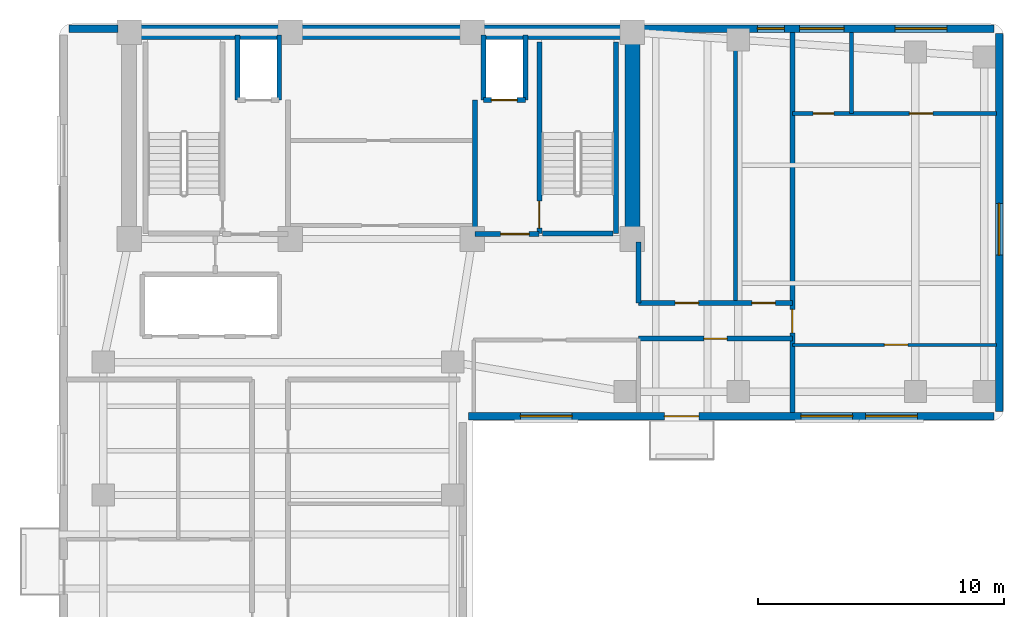
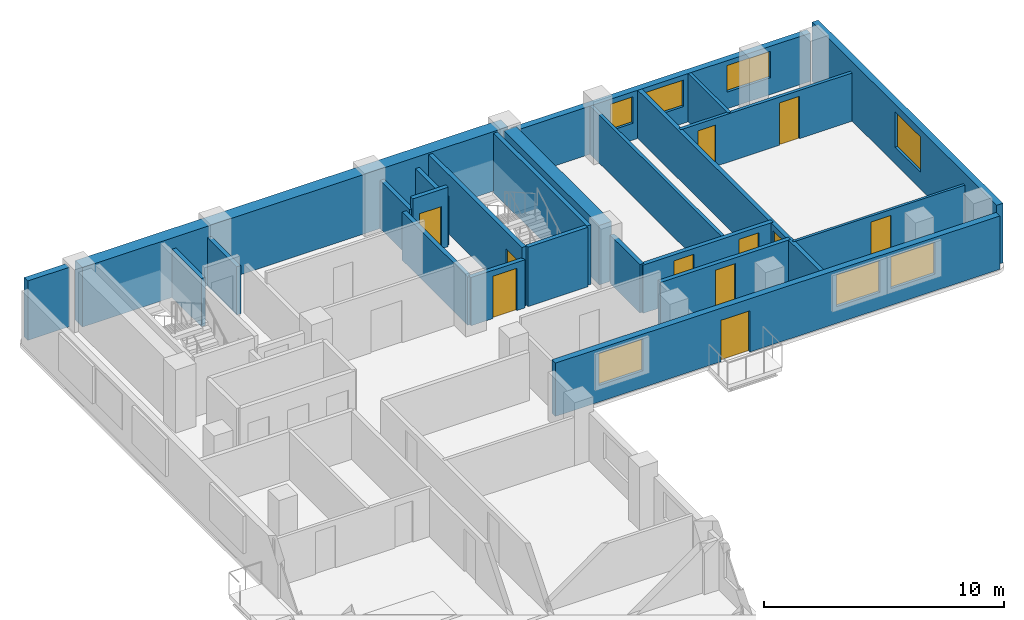
# One storey, part 4 of 7: 24 walls, 11 doors, 7 windows, 18 openings.
"""IFC4 building model written with IfcOpenShell, lengths in metres."""

from ifc_helpers import new_model, si_unit, direction, frame, frame_2d, origin, place, context, subcontext, project, spatial, rectangle, extrude, material, layer, layer_set, type_object, element, fill, save


model = new_model("IFC4")

# Units and contexts
model_context = context("Model", 3, precision=1e-05, world=origin(), true_north=direction((0.0, 1.0)))
body_context = subcontext(model_context, "Body", "Model", "MODEL_VIEW")
ifc_project = project(units=[si_unit("LENGTHUNIT", "METRE"), si_unit("AREAUNIT", "SQUARE_METRE"), si_unit("VOLUMEUNIT", "CUBIC_METRE"), si_unit("PLANEANGLEUNIT", "RADIAN"), si_unit("MASSUNIT", "GRAM", prefix="KILO")], contexts=[model_context])

# Site, building, storey
site_placement = place(None, origin())
site = spatial("IfcSite", under=ifc_project, at=site_placement, CompositionType="ELEMENT")
building_placement = place(site_placement, origin())
building = spatial("IfcBuilding", under=site, at=building_placement, Name="Kuzgunbayir Cultural Tower", CompositionType="ELEMENT")
storey_placement = place(building_placement, frame((0.0, 0.0, 185.60009765625)))
storey = spatial("IfcBuildingStorey", under=building, at=storey_placement, Name="L54", CompositionType="ELEMENT", Elevation=185.60009765625)

# Walls
ifc_material_1 = material(Name="Concrete C60/75", Category="concrete")
ifc_layer_1 = layer(ifc_material_1, 0.60009765625)
ifc_layer_set_1 = layer_set([ifc_layer_1], Name="Concrete C60/75")
wall_type_1 = type_object("IfcWallType", Name="WAL-CORE-600", PredefinedType="SHEAR", material=ifc_layer_set_1)
wall_1_placement = place(storey_placement, frame((6.449951171875, 42.199951171875, 0.0), z_axis=(0.0, 0.0, 1.0), x_axis=(1.0, 0.0, 0.0)))
element("IfcWall", 1, at=wall_1_placement, inside=storey, type_object=wall_type_1, Name="L54 T1 Core North Shear Wall", PredefinedType="SHEAR", context=body_context, shape_type="SweptSolid", body=[
    extrude(rectangle(XDim=20.449951171875, YDim=0.60009765625, at=frame_2d((10.22509765625, 0.0))), origin(), (0.0, 0.0, 1.0), 3.02001953125),
])
wall_2_placement = place(storey_placement, frame((26.89990234375, 33.800048828125, 0.0), z_axis=(0.0, 0.0, 1.0), x_axis=(0.0, 1.0, 0.0)))
element("IfcWall", 2, at=wall_2_placement, inside=storey, type_object=wall_type_1, Name="L54 T1 Core East Shear Wall", PredefinedType="SHEAR", context=body_context, shape_type="SweptSolid", body=[
    extrude(rectangle(XDim=7.949951171875, YDim=0.60009765625, at=frame_2d((3.97509765625, 0.0))), origin(), (0.0, 0.0, 1.0), 3.02001953125),
])

# Wall, openings, windows
ifc_material_2 = material(Name="Anatolian Cream Limestone", Category="masonry")
ifc_layer_2 = layer(ifc_material_2, 0.300048828125)
ifc_layer_set_2 = layer_set([ifc_layer_2], Name="Anatolian Cream Limestone")
wall_type_2 = type_object("IfcWallType", Name="WAL-EXT-STONE-300", PredefinedType="STANDARD", material=ifc_layer_set_2)
wall_3_placement = place(storey_placement, frame((41.60009765625, 42.35009765625, 0.0), z_axis=(0.0, 0.0, 1.0), x_axis=(-1.0, 0.0, 0.0)))
wall_3 = element("IfcWall", 3, at=wall_3_placement, inside=storey, type_object=wall_type_2, Name="L54 North Wing B Limestone Wall", PredefinedType="STANDARD", context=body_context, shape_type="SweptSolid", body=[
    extrude(rectangle(XDim=14.25, YDim=0.300048828125, at=frame_2d((7.125, 0.0))), origin(), (0.0, 0.0, 1.0), 2.449951171875),
])
opening_1_placement = place(wall_3_placement, frame((6.10009765625, 0.0, 0.85009765625)))
opening_1 = element("IfcOpeningElement", 4, at=opening_1_placement, cuts=wall_3, Name="Opening WH-18", PredefinedType="OPENING", context=body_context, shape_type="SweptSolid", body=[
    extrude(rectangle(XDim=1.800048828125, YDim=1.35009765625, at=frame_2d((0.89990234375, 0.675048828125))), frame((0.0, 0.16015625, 0.0), z_axis=(0.0, -1.0, 0.0), x_axis=(1.0, 0.0, 0.0)), (0.0, 0.0, 1.0), 0.320068359375),
])
opening_2_placement = place(wall_3_placement, frame((1.919921875, 0.0, 0.85009765625)))
opening_2 = element("IfcOpeningElement", 5, at=opening_2_placement, cuts=wall_3, Name="Opening WR-21", PredefinedType="OPENING", context=body_context, shape_type="SweptSolid", body=[
    extrude(rectangle(XDim=2.10009765625, YDim=1.35009765625, at=frame_2d((1.050048828125, 0.675048828125))), frame((0.0, 0.16015625, 0.0), z_axis=(0.0, -1.0, 0.0), x_axis=(1.0, 0.0, 0.0)), (0.0, 0.0, 1.0), 0.320068359375),
])
opening_3_placement = place(wall_3_placement, frame((8.52001953125, 0.0, 0.85009765625)))
opening_3 = element("IfcOpeningElement", 6, at=opening_3_placement, cuts=wall_3, Name="Opening WN-11", PredefinedType="OPENING", context=body_context, shape_type="SweptSolid", body=[
    extrude(rectangle(XDim=1.10009765625, YDim=1.35009765625, at=frame_2d((0.550048828125, 0.675048828125))), frame((0.0, 0.16015625, 0.0), z_axis=(0.0, -1.0, 0.0), x_axis=(1.0, 0.0, 0.0)), (0.0, 0.0, 1.0), 0.320068359375),
])
ifc_material_3 = material(Name="Solar-Control Triple Glazing", Category="glass")
window_type_1 = type_object("IfcWindowType", Name="WIN-HOTEL-18", PartitioningType="SINGLE_PANEL", PredefinedType="WINDOW", material=ifc_material_3)
window_1_placement = place(opening_1_placement, origin())
window_1 = element("IfcWindow", 7, at=window_1_placement, inside=storey, type_object=window_type_1, Name="L54 CRN Facade Window 8", OverallHeight=1.35009765625, OverallWidth=1.800048828125, PartitioningType="SINGLE_PANEL", PredefinedType="WINDOW", context=body_context, shape_type="SweptSolid", body=[
    extrude(rectangle(XDim=1.800048828125, YDim=1.35009765625, at=frame_2d((0.89990234375, 0.675048828125))), frame((0.0, 0.030029296875, 0.0), z_axis=(0.0, -1.0, 0.0), x_axis=(1.0, 0.0, 0.0)), (0.0, 0.0, 1.0), 0.06005859375),
])
fill(opening_1, window_1)
window_type_2 = type_object("IfcWindowType", Name="WIN-NARROW-11", PartitioningType="SINGLE_PANEL", PredefinedType="WINDOW", material=ifc_material_3)
window_2_placement = place(opening_3_placement, origin())
window_2 = element("IfcWindow", 8, at=window_2_placement, inside=storey, type_object=window_type_2, Name="L54 CRN Facade Window 10", OverallHeight=1.35009765625, OverallWidth=1.10009765625, PartitioningType="SINGLE_PANEL", PredefinedType="WINDOW", context=body_context, shape_type="SweptSolid", body=[
    extrude(rectangle(XDim=1.10009765625, YDim=1.35009765625, at=frame_2d((0.550048828125, 0.675048828125))), frame((0.0, 0.030029296875, 0.0), z_axis=(0.0, -1.0, 0.0), x_axis=(1.0, 0.0, 0.0)), (0.0, 0.0, 1.0), 0.06005859375),
])
fill(opening_3, window_2)
window_type_3 = type_object("IfcWindowType", Name="WIN-RESID-21", PartitioningType="SINGLE_PANEL", PredefinedType="WINDOW", material=ifc_material_3)
window_3_placement = place(opening_2_placement, origin())
window_3 = element("IfcWindow", 9, at=window_3_placement, inside=storey, type_object=window_type_3, Name="L54 CRN Facade Window 9", OverallHeight=1.35009765625, OverallWidth=2.10009765625, PartitioningType="SINGLE_PANEL", PredefinedType="WINDOW", context=body_context, shape_type="SweptSolid", body=[
    extrude(rectangle(XDim=2.10009765625, YDim=1.35009765625, at=frame_2d((1.050048828125, 0.675048828125))), frame((0.0, 0.030029296875, 0.0), z_axis=(0.0, -1.0, 0.0), x_axis=(1.0, 0.0, 0.0)), (0.0, 0.0, 1.0), 0.06005859375),
])
fill(opening_2, window_3)

# Wall
wall_4_placement = place(storey_placement, frame((6.0, 42.35009765625, 0.0), z_axis=(0.0, 0.0, 1.0), x_axis=(-1.0, 0.0, 0.0)))
element("IfcWall", 10, at=wall_4_placement, inside=storey, type_object=wall_type_2, Name="L54 Core North-West Spandrel Link", PredefinedType="STANDARD", context=body_context, shape_type="SweptSolid", body=[
    extrude(rectangle(XDim=2.0, YDim=0.300048828125, at=frame_2d((1.0, 0.0))), origin(), (0.0, 0.0, 1.0), 3.02001953125),
])

# Wall, openings, door, windows
wall_5_placement = place(storey_placement, frame((20.25, 26.60009765625, 0.0), z_axis=(0.0, 0.0, 1.0), x_axis=(1.0, 0.0, 0.0)))
wall_5 = element("IfcWall", 11, at=wall_5_placement, inside=storey, type_object=wall_type_2, Name="L54 Wing B South Limestone Wall", PredefinedType="STANDARD", context=body_context, shape_type="SweptSolid", body=[
    extrude(rectangle(XDim=21.35009765625, YDim=0.300048828125, at=frame_2d((10.675048828125, 0.0))), origin(), (0.0, 0.0, 1.0), 2.7099609375),
])
opening_4_placement = place(wall_5_placement, frame((7.949951171875, 0.0, 0.0)))
opening_4 = element("IfcOpeningElement", 12, at=opening_4_placement, cuts=wall_5, Name="Opening BD-15", PredefinedType="OPENING", context=body_context, shape_type="SweptSolid", body=[
    extrude(rectangle(XDim=1.39990234375, YDim=2.10009765625, at=frame_2d((0.699951171875, 1.050048828125))), frame((0.0, 0.16015625, 0.0), z_axis=(0.0, -1.0, 0.0), x_axis=(1.0, 0.0, 0.0)), (0.0, 0.0, 1.0), 0.320068359375),
])
opening_5_placement = place(wall_5_placement, frame((16.1298828125, 0.0, 0.85009765625)))
opening_5 = element("IfcOpeningElement", 13, at=opening_5_placement, cuts=wall_5, Name="Opening WR-21", PredefinedType="OPENING", context=body_context, shape_type="SweptSolid", body=[
    extrude(rectangle(XDim=2.10009765625, YDim=1.610107421875, at=frame_2d((1.050048828125, 0.80517578125))), frame((0.0, 0.16015625, 0.0), z_axis=(0.0, -1.0, 0.0), x_axis=(1.0, 0.0, 0.0)), (0.0, 0.0, 1.0), 0.320068359375),
])
opening_6_placement = place(wall_5_placement, frame((2.10009765625, 0.0, 0.85009765625)))
opening_6 = element("IfcOpeningElement", 14, at=opening_6_placement, cuts=wall_5, Name="Opening WR-21", PredefinedType="OPENING", context=body_context, shape_type="SweptSolid", body=[
    extrude(rectangle(XDim=2.10009765625, YDim=1.610107421875, at=frame_2d((1.050048828125, 0.80517578125))), frame((0.0, 0.16015625, 0.0), z_axis=(0.0, -1.0, 0.0), x_axis=(1.0, 0.0, 0.0)), (0.0, 0.0, 1.0), 0.320068359375),
])
opening_7_placement = place(wall_5_placement, frame((13.5, 0.0, 0.85009765625)))
opening_7 = element("IfcOpeningElement", 15, at=opening_7_placement, cuts=wall_5, Name="Opening WR-21", PredefinedType="OPENING", context=body_context, shape_type="SweptSolid", body=[
    extrude(rectangle(XDim=2.10009765625, YDim=1.610107421875, at=frame_2d((1.050048828125, 0.80517578125))), frame((0.0, 0.16015625, 0.0), z_axis=(0.0, -1.0, 0.0), x_axis=(1.0, 0.0, 0.0)), (0.0, 0.0, 1.0), 0.320068359375),
])
ifc_material_4 = material(Name="Thermally Broken Glazed Aluminium", Category="aluminium")
door_type_1 = type_object("IfcDoorType", Name="DR-BALCONY-150", OperationType="SLIDING_TO_RIGHT", PredefinedType="DOOR", material=ifc_material_4)
door_1_placement = place(opening_4_placement, origin())
door_1 = element("IfcDoor", 16, at=door_1_placement, inside=storey, type_object=door_type_1, Name="L54 South Balcony Sliding Door BAL-L54-WB1", OperationType="SLIDING_TO_RIGHT", OverallHeight=2.10009765625, OverallWidth=1.39990234375, PredefinedType="DOOR", context=body_context, shape_type="SweptSolid", body=[
    extrude(rectangle(XDim=1.39990234375, YDim=2.10009765625, at=frame_2d((0.699951171875, 1.050048828125))), frame((0.0, 0.02490234375, 0.0), z_axis=(0.0, -1.0, 0.0), x_axis=(1.0, 0.0, 0.0)), (0.0, 0.0, 1.0), 0.050048828125),
])
fill(opening_4, door_1)
window_4_placement = place(opening_5_placement, origin())
window_4 = element("IfcWindow", 17, at=window_4_placement, inside=storey, type_object=window_type_3, Name="L54 WBS Facade Window 7", OverallHeight=1.610107421875, OverallWidth=2.10009765625, PartitioningType="SINGLE_PANEL", PredefinedType="WINDOW", context=body_context, shape_type="SweptSolid", body=[
    extrude(rectangle(XDim=2.10009765625, YDim=1.610107421875, at=frame_2d((1.050048828125, 0.80517578125))), frame((0.0, 0.030029296875, 0.0), z_axis=(0.0, -1.0, 0.0), x_axis=(1.0, 0.0, 0.0)), (0.0, 0.0, 1.0), 0.06005859375),
])
fill(opening_5, window_4)
window_5_placement = place(opening_6_placement, origin())
window_5 = element("IfcWindow", 18, at=window_5_placement, inside=storey, type_object=window_type_3, Name="L54 WBS Facade Window 17", OverallHeight=1.610107421875, OverallWidth=2.10009765625, PartitioningType="SINGLE_PANEL", PredefinedType="WINDOW", context=body_context, shape_type="SweptSolid", body=[
    extrude(rectangle(XDim=2.10009765625, YDim=1.610107421875, at=frame_2d((1.050048828125, 0.80517578125))), frame((0.0, 0.030029296875, 0.0), z_axis=(0.0, -1.0, 0.0), x_axis=(1.0, 0.0, 0.0)), (0.0, 0.0, 1.0), 0.06005859375),
])
fill(opening_6, window_5)
window_6_placement = place(opening_7_placement, origin())
window_6 = element("IfcWindow", 19, at=window_6_placement, inside=storey, type_object=window_type_3, Name="L54 WBS Facade Window 18", OverallHeight=1.610107421875, OverallWidth=2.10009765625, PartitioningType="SINGLE_PANEL", PredefinedType="WINDOW", context=body_context, shape_type="SweptSolid", body=[
    extrude(rectangle(XDim=2.10009765625, YDim=1.610107421875, at=frame_2d((1.050048828125, 0.80517578125))), frame((0.0, 0.030029296875, 0.0), z_axis=(0.0, -1.0, 0.0), x_axis=(1.0, 0.0, 0.0)), (0.0, 0.0, 1.0), 0.06005859375),
])
fill(opening_7, window_6)

# Wall, opening, window
wall_6_placement = place(storey_placement, frame((41.800048828125, 26.800048828125, 0.0), z_axis=(0.0, 0.0, 1.0), x_axis=(0.0, 1.0, 0.0)))
wall_6 = element("IfcWall", 20, at=wall_6_placement, inside=storey, type_object=wall_type_2, Name="L54 Wing B East Limestone Wall", PredefinedType="STANDARD", context=body_context, shape_type="SweptSolid", body=[
    extrude(rectangle(XDim=15.349853515625, YDim=0.300048828125, at=frame_2d((7.6748046875, 0.0))), origin(), (0.0, 0.0, 1.0), 3.02001953125),
])
opening_8_placement = place(wall_6_placement, frame((6.35009765625, 0.0, 0.85009765625)))
opening_8 = element("IfcOpeningElement", 21, at=opening_8_placement, cuts=wall_6, Name="Opening WR-21", PredefinedType="OPENING", context=body_context, shape_type="SweptSolid", body=[
    extrude(rectangle(XDim=2.10009765625, YDim=1.800048828125, at=frame_2d((1.050048828125, 0.89990234375))), frame((0.0, 0.16015625, 0.0), z_axis=(0.0, -1.0, 0.0), x_axis=(1.0, 0.0, 0.0)), (0.0, 0.0, 1.0), 0.320068359375),
])
window_7_placement = place(opening_8_placement, origin())
window_7 = element("IfcWindow", 22, at=window_7_placement, inside=storey, type_object=window_type_3, Name="L54 WBE Facade Window 6", OverallHeight=1.800048828125, OverallWidth=2.10009765625, PartitioningType="SINGLE_PANEL", PredefinedType="WINDOW", context=body_context, shape_type="SweptSolid", body=[
    extrude(rectangle(XDim=2.10009765625, YDim=1.800048828125, at=frame_2d((1.050048828125, 0.89990234375))), frame((0.0, 0.030029296875, 0.0), z_axis=(0.0, -1.0, 0.0), x_axis=(1.0, 0.0, 0.0)), (0.0, 0.0, 1.0), 0.06005859375),
])
fill(opening_8, window_7)

# Walls
ifc_material_5 = material(Name="Acoustic Double-Stud Drywall", Category="gypsum")
ifc_layer_3 = layer(ifc_material_5, 0.14990234375)
ifc_layer_set_3 = layer_set([ifc_layer_3], Name="Acoustic Double-Stud Drywall")
wall_type_3 = type_object("IfcWallType", Name="WAL-PART-ACOUSTIC-150", PredefinedType="PARTITIONING", material=ifc_layer_set_3)
wall_7_placement = place(storey_placement, frame((31.090087890625, 31.199951171875, 0.0), z_axis=(0.0, 0.0, 1.0), x_axis=(0.0, 1.0, 0.0)))
element("IfcWall", 23, at=wall_7_placement, inside=storey, type_object=wall_type_3, Name="L54 Wing B North Divider 1", PredefinedType="PARTITIONING", context=body_context, shape_type="SweptSolid", body=[
    extrude(rectangle(XDim=11.0, YDim=0.14990234375, at=frame_2d((5.5, 0.0))), origin(), (0.0, 0.0, 1.0), 2.449951171875),
])
ifc_material_6 = material(Name="Aerated Concrete Blockwork", Category="masonry")
ifc_layer_4 = layer(ifc_material_6, 0.199951171875)
ifc_layer_set_4 = layer_set([ifc_layer_4], Name="Aerated Concrete Blockwork")
wall_type_4 = type_object("IfcWallType", Name="WAL-PART-FIRE-200", PredefinedType="PARTITIONING", material=ifc_layer_set_4)
wall_8_placement = place(storey_placement, frame((20.5, 34.0, 0.0), z_axis=(0.0, 0.0, 1.0), x_axis=(0.0, 1.0, 0.0)))
element("IfcWall", 24, at=wall_8_placement, inside=storey, type_object=wall_type_4, Name="L54 FFL-2 Lobby West Fire Wall", PredefinedType="PARTITIONING", context=body_context, shape_type="SweptSolid", body=[
    extrude(rectangle(XDim=5.449951171875, YDim=0.199951171875, at=frame_2d((2.72509765625, 0.0))), origin(), (0.0, 0.0, 1.0), 2.449951171875),
])

# Wall, opening, door
wall_9_placement = place(storey_placement, frame((20.5, 34.0, 0.0), z_axis=(0.0, 0.0, 1.0), x_axis=(1.0, 0.0, 0.0)))
wall_9 = element("IfcWall", 25, at=wall_9_placement, inside=storey, type_object=wall_type_4, Name="L54 FFL-2 Lobby South Fire Wall", PredefinedType="PARTITIONING", context=body_context, shape_type="SweptSolid", body=[
    extrude(rectangle(XDim=2.60009765625, YDim=0.199951171875, at=frame_2d((1.300048828125, 0.0))), origin(), (0.0, 0.0, 1.0), 2.449951171875),
])
opening_9_placement = place(wall_9_placement, frame((1.050048828125, 0.0, 0.0)))
opening_9 = element("IfcOpeningElement", 26, at=opening_9_placement, cuts=wall_9, Name="Opening DR-FFL-90", PredefinedType="OPENING", context=body_context, shape_type="SweptSolid", body=[
    extrude(rectangle(XDim=1.14990234375, YDim=2.14990234375, at=frame_2d((0.574951171875, 1.074951171875))), frame((0.0, 0.10986328125, 0.0), z_axis=(0.0, -1.0, 0.0), x_axis=(1.0, 0.0, 0.0)), (0.0, 0.0, 1.0), 0.219970703125),
])
ifc_material_7 = material(Name="Steel S355J2", Category="steel")
door_type_2 = type_object("IfcDoorType", Name="DR-FFL-90", OperationType="NOTDEFINED", PredefinedType="DOOR", material=ifc_material_7)
door_2_placement = place(opening_9_placement, origin())
door_2 = element("IfcDoor", 27, at=door_2_placement, inside=storey, type_object=door_type_2, Name="L54 Firefighting Lobby 2 Door", OperationType="SINGLE_SWING_RIGHT", OverallHeight=2.14990234375, OverallWidth=1.14990234375, PredefinedType="DOOR", context=body_context, shape_type="SweptSolid", body=[
    extrude(rectangle(XDim=1.14990234375, YDim=2.14990234375, at=frame_2d((0.574951171875, 1.074951171875))), frame((0.0, 0.02490234375, 0.0), z_axis=(0.0, -1.0, 0.0), x_axis=(1.0, 0.0, 0.0)), (0.0, 0.0, 1.0), 0.050048828125),
])
fill(opening_9, door_2)

wall_10_placement = place(storey_placement, frame((27.14990234375, 29.75, 0.0), z_axis=(0.0, 0.0, 1.0), x_axis=(1.0, 0.0, 0.0)))
wall_10 = element("IfcWall", 28, at=wall_10_placement, inside=storey, type_object=wall_type_4, Name="L54 Wing B Residence Corridor South Wall", PredefinedType="PARTITIONING", context=body_context, shape_type="SweptSolid", body=[
    extrude(rectangle(XDim=6.25, YDim=0.199951171875, at=frame_2d((3.125, 0.0))), origin(), (0.0, 0.0, 1.0), 2.449951171875),
])
opening_10_placement = place(wall_10_placement, frame((2.64990234375, 0.0, 0.0)))
opening_10 = element("IfcOpeningElement", 29, at=opening_10_placement, cuts=wall_10, Name="Opening DI-90", PredefinedType="OPENING", context=body_context, shape_type="SweptSolid", body=[
    extrude(rectangle(XDim=0.949951171875, YDim=2.14990234375, at=frame_2d((0.47509765625, 1.074951171875))), frame((0.0, 0.10986328125, 0.0), z_axis=(0.0, -1.0, 0.0), x_axis=(1.0, 0.0, 0.0)), (0.0, 0.0, 1.0), 0.219970703125),
])
ifc_material_8 = material(Name="Veneered Oak Single Leaf", Category="wood")
door_type_3 = type_object("IfcDoorType", Name="DR-INT-90", OperationType="NOTDEFINED", PredefinedType="DOOR", material=ifc_material_8)
door_3_placement = place(opening_10_placement, origin())
door_3 = element("IfcDoor", 30, at=door_3_placement, inside=storey, type_object=door_type_3, Name="L54 Wing B Curatorial Office 1 Door", OperationType="SINGLE_SWING_LEFT", OverallHeight=2.14990234375, OverallWidth=0.949951171875, PredefinedType="DOOR", context=body_context, shape_type="SweptSolid", body=[
    extrude(rectangle(XDim=0.949951171875, YDim=2.14990234375, at=frame_2d((0.47509765625, 1.074951171875))), frame((0.0, 0.02490234375, 0.0), z_axis=(0.0, -1.0, 0.0), x_axis=(1.0, 0.0, 0.0)), (0.0, 0.0, 1.0), 0.050048828125),
])
fill(opening_10, door_3)

# Wall, openings, doors
wall_11_placement = place(storey_placement, frame((27.14990234375, 31.199951171875, 0.0), z_axis=(0.0, 0.0, 1.0), x_axis=(1.0, 0.0, 0.0)))
wall_11 = element("IfcWall", 31, at=wall_11_placement, inside=storey, type_object=wall_type_4, Name="L54 Wing B Residence Corridor North Wall", PredefinedType="PARTITIONING", context=body_context, shape_type="SweptSolid", body=[
    extrude(rectangle(XDim=6.25, YDim=0.199951171875, at=frame_2d((3.125, 0.0))), origin(), (0.0, 0.0, 1.0), 2.449951171875),
])
opening_11_placement = place(wall_11_placement, frame((1.489990234375, 0.0, 0.0)))
opening_11 = element("IfcOpeningElement", 32, at=opening_11_placement, cuts=wall_11, Name="Opening DI-90", PredefinedType="OPENING", context=body_context, shape_type="SweptSolid", body=[
    extrude(rectangle(XDim=0.949951171875, YDim=2.14990234375, at=frame_2d((0.47509765625, 1.074951171875))), frame((0.0, 0.10986328125, 0.0), z_axis=(0.0, -1.0, 0.0), x_axis=(1.0, 0.0, 0.0)), (0.0, 0.0, 1.0), 0.219970703125),
])
opening_12_placement = place(wall_11_placement, frame((4.610107421875, 0.0, 0.0)))
opening_12 = element("IfcOpeningElement", 33, at=opening_12_placement, cuts=wall_11, Name="Opening DI-90", PredefinedType="OPENING", context=body_context, shape_type="SweptSolid", body=[
    extrude(rectangle(XDim=0.949951171875, YDim=2.14990234375, at=frame_2d((0.47509765625, 1.074951171875))), frame((0.0, 0.10986328125, 0.0), z_axis=(0.0, -1.0, 0.0), x_axis=(1.0, 0.0, 0.0)), (0.0, 0.0, 1.0), 0.219970703125),
])
door_4_placement = place(opening_11_placement, origin())
door_4 = element("IfcDoor", 34, at=door_4_placement, inside=storey, type_object=door_type_3, Name="L54 Residents Seminar Boardroom 1 Door", OperationType="SINGLE_SWING_RIGHT", OverallHeight=2.14990234375, OverallWidth=0.949951171875, PredefinedType="DOOR", context=body_context, shape_type="SweptSolid", body=[
    extrude(rectangle(XDim=0.949951171875, YDim=2.14990234375, at=frame_2d((0.47509765625, 1.074951171875))), frame((0.0, 0.02490234375, 0.0), z_axis=(0.0, -1.0, 0.0), x_axis=(1.0, 0.0, 0.0)), (0.0, 0.0, 1.0), 0.050048828125),
])
fill(opening_11, door_4)
door_5_placement = place(opening_12_placement, origin())
door_5 = element("IfcDoor", 35, at=door_5_placement, inside=storey, type_object=door_type_3, Name="L54 Residents Wellness Consultation Studio 2 Door", OperationType="SINGLE_SWING_LEFT", OverallHeight=2.14990234375, OverallWidth=0.949951171875, PredefinedType="DOOR", context=body_context, shape_type="SweptSolid", body=[
    extrude(rectangle(XDim=0.949951171875, YDim=2.14990234375, at=frame_2d((0.47509765625, 1.074951171875))), frame((0.0, 0.02490234375, 0.0), z_axis=(0.0, -1.0, 0.0), x_axis=(1.0, 0.0, 0.0)), (0.0, 0.0, 1.0), 0.050048828125),
])
fill(opening_12, door_5)

# Wall
wall_12_placement = place(storey_placement, frame((27.14990234375, 31.199951171875, 0.0), z_axis=(0.0, 0.0, 1.0), x_axis=(0.0, 1.0, 0.0)))
element("IfcWall", 36, at=wall_12_placement, inside=storey, type_object=wall_type_4, Name="L54 Wing B Residence North Core Closure Wall", PredefinedType="PARTITIONING", context=body_context, shape_type="SweptSolid", body=[
    extrude(rectangle(XDim=2.47998046875, YDim=0.199951171875, at=frame_2d((1.239990234375, 0.0))), origin(), (0.0, 0.0, 1.0), 2.449951171875),
])

# Wall, opening, door
wall_13_placement = place(storey_placement, frame((33.39990234375, 26.75, 0.0), z_axis=(0.0, 0.0, 1.0), x_axis=(0.0, 1.0, 0.0)))
wall_13 = element("IfcWall", 37, at=wall_13_placement, inside=storey, type_object=wall_type_4, Name="L54 Apartment D Party Wall", PredefinedType="PARTITIONING", context=body_context, shape_type="SweptSolid", body=[
    extrude(rectangle(XDim=15.449951171875, YDim=0.199951171875, at=frame_2d((7.72509765625, 0.0))), origin(), (0.0, 0.0, 1.0), 2.449951171875),
])
opening_13_placement = place(wall_13_placement, frame((3.239990234375, 0.0, 0.0)))
opening_13 = element("IfcOpeningElement", 38, at=opening_13_placement, cuts=wall_13, Name="Opening DR-APT-60", PredefinedType="OPENING", context=body_context, shape_type="SweptSolid", body=[
    extrude(rectangle(XDim=0.949951171875, YDim=2.14990234375, at=frame_2d((0.47509765625, 1.074951171875))), frame((0.0, 0.10986328125, 0.0), z_axis=(0.0, -1.0, 0.0), x_axis=(1.0, 0.0, 0.0)), (0.0, 0.0, 1.0), 0.219970703125),
])
ifc_material_9 = material(Name="Acoustic Fire Timber Leaf", Category="wood")
door_type_4 = type_object("IfcDoorType", Name="DR-APT-60", OperationType="NOTDEFINED", PredefinedType="DOOR", material=ifc_material_9)
door_6_placement = place(opening_13_placement, origin())
door_6 = element("IfcDoor", 39, at=door_6_placement, inside=storey, type_object=door_type_4, Name="L54 Apartment D Entrance", OperationType="SINGLE_SWING_LEFT", OverallHeight=2.14990234375, OverallWidth=0.949951171875, PredefinedType="DOOR", context=body_context, shape_type="SweptSolid", body=[
    extrude(rectangle(XDim=0.949951171875, YDim=2.14990234375, at=frame_2d((0.47509765625, 1.074951171875))), frame((0.0, 0.02490234375, 0.0), z_axis=(0.0, -1.0, 0.0), x_axis=(1.0, 0.0, 0.0)), (0.0, 0.0, 1.0), 0.050048828125),
])
fill(opening_13, door_6)

ifc_material_10 = material(Name="Framed Gypsum Partition", Category="gypsum")
ifc_layer_5 = layer(ifc_material_10, 0.1201171875)
ifc_layer_set_5 = layer_set([ifc_layer_5], Name="Framed Gypsum Partition")
wall_type_5 = type_object("IfcWallType", Name="WAL-PART-INT-120", PredefinedType="PARTITIONING", material=ifc_layer_set_5)
wall_14_placement = place(storey_placement, frame((33.39990234375, 29.5, 0.0), z_axis=(0.0, 0.0, 1.0), x_axis=(1.0, 0.0, 0.0)))
wall_14 = element("IfcWall", 40, at=wall_14_placement, inside=storey, type_object=wall_type_5, Name="L54 Flat D Bedroom Wall", PredefinedType="PARTITIONING", context=body_context, shape_type="SweptSolid", body=[
    extrude(rectangle(XDim=8.300048828125, YDim=0.1201171875, at=frame_2d((4.14990234375, 0.0))), origin(), (0.0, 0.0, 1.0), 2.449951171875),
])
opening_14_placement = place(wall_14_placement, frame((3.739990234375, 0.0, 0.0)))
opening_14 = element("IfcOpeningElement", 41, at=opening_14_placement, cuts=wall_14, Name="Opening DI-90", PredefinedType="OPENING", context=body_context, shape_type="SweptSolid", body=[
    extrude(rectangle(XDim=0.949951171875, YDim=2.14990234375, at=frame_2d((0.47509765625, 1.074951171875))), frame((0.0, 0.070068359375, 0.0), z_axis=(0.0, -1.0, 0.0), x_axis=(1.0, 0.0, 0.0)), (0.0, 0.0, 1.0), 0.14013671875),
])
door_7_placement = place(opening_14_placement, origin())
door_7 = element("IfcDoor", 42, at=door_7_placement, inside=storey, type_object=door_type_3, Name="L54 Apartment D Bedroom Door", OperationType="SINGLE_SWING_RIGHT", OverallHeight=2.14990234375, OverallWidth=0.949951171875, PredefinedType="DOOR", context=body_context, shape_type="SweptSolid", body=[
    extrude(rectangle(XDim=0.949951171875, YDim=2.14990234375, at=frame_2d((0.47509765625, 1.074951171875))), frame((0.0, 0.02490234375, 0.0), z_axis=(0.0, -1.0, 0.0), x_axis=(1.0, 0.0, 0.0)), (0.0, 0.0, 1.0), 0.050048828125),
])
fill(opening_14, door_7)

# Wall, openings, doors
ifc_material_11 = material(Name="Moisture-Resistant Tile Partition", Category="gypsum")
ifc_layer_6 = layer(ifc_material_11, 0.14990234375)
ifc_layer_set_6 = layer_set([ifc_layer_6], Name="Moisture-Resistant Tile Partition")
wall_type_6 = type_object("IfcWallType", Name="WAL-PART-WET-150", PredefinedType="PARTITIONING", material=ifc_layer_set_6)
wall_15_placement = place(storey_placement, frame((33.39990234375, 38.89990234375, 0.0), z_axis=(0.0, 0.0, 1.0), x_axis=(1.0, 0.0, 0.0)))
wall_15 = element("IfcWall", 43, at=wall_15_placement, inside=storey, type_object=wall_type_6, Name="L54 Flat D Service Wall", PredefinedType="PARTITIONING", context=body_context, shape_type="SweptSolid", body=[
    extrude(rectangle(XDim=8.300048828125, YDim=0.14990234375, at=frame_2d((4.14990234375, 0.0))), origin(), (0.0, 0.0, 1.0), 2.449951171875),
])
opening_15_placement = place(wall_15_placement, frame((0.840087890625, 0.0, 0.0)))
opening_15 = element("IfcOpeningElement", 44, at=opening_15_placement, cuts=wall_15, Name="Opening DW-85", PredefinedType="OPENING", context=body_context, shape_type="SweptSolid", body=[
    extrude(rectangle(XDim=0.85009765625, YDim=2.10009765625, at=frame_2d((0.425048828125, 1.050048828125))), frame((0.0, 0.0849609375, 0.0), z_axis=(0.0, -1.0, 0.0), x_axis=(1.0, 0.0, 0.0)), (0.0, 0.0, 1.0), 0.169921875),
])
opening_16_placement = place(wall_15_placement, frame((4.760009765625, 0.0, 0.0)))
opening_16 = element("IfcOpeningElement", 45, at=opening_16_placement, cuts=wall_15, Name="Opening DI-90", PredefinedType="OPENING", context=body_context, shape_type="SweptSolid", body=[
    extrude(rectangle(XDim=0.949951171875, YDim=2.14990234375, at=frame_2d((0.47509765625, 1.074951171875))), frame((0.0, 0.0849609375, 0.0), z_axis=(0.0, -1.0, 0.0), x_axis=(1.0, 0.0, 0.0)), (0.0, 0.0, 1.0), 0.169921875),
])
door_8_placement = place(opening_16_placement, origin())
door_8 = element("IfcDoor", 46, at=door_8_placement, inside=storey, type_object=door_type_3, Name="L54 Apartment D Kitchen Door", OperationType="SINGLE_SWING_RIGHT", OverallHeight=2.14990234375, OverallWidth=0.949951171875, PredefinedType="DOOR", context=body_context, shape_type="SweptSolid", body=[
    extrude(rectangle(XDim=0.949951171875, YDim=2.14990234375, at=frame_2d((0.47509765625, 1.074951171875))), frame((0.0, 0.02490234375, 0.0), z_axis=(0.0, -1.0, 0.0), x_axis=(1.0, 0.0, 0.0)), (0.0, 0.0, 1.0), 0.050048828125),
])
fill(opening_16, door_8)
ifc_material_12 = material(Name="Laminate Moisture-Resistant Leaf", Category="wood")
door_type_5 = type_object("IfcDoorType", Name="DR-WET-85", OperationType="NOTDEFINED", PredefinedType="DOOR", material=ifc_material_12)
door_9_placement = place(opening_15_placement, origin())
door_9 = element("IfcDoor", 47, at=door_9_placement, inside=storey, type_object=door_type_5, Name="L54 Apartment D Bathroom Door", OperationType="SINGLE_SWING_LEFT", OverallHeight=2.10009765625, OverallWidth=0.85009765625, PredefinedType="DOOR", context=body_context, shape_type="SweptSolid", body=[
    extrude(rectangle(XDim=0.85009765625, YDim=2.10009765625, at=frame_2d((0.425048828125, 1.050048828125))), frame((0.0, 0.02490234375, 0.0), z_axis=(0.0, -1.0, 0.0), x_axis=(1.0, 0.0, 0.0)), (0.0, 0.0, 1.0), 0.050048828125),
])
fill(opening_15, door_9)

# Wall
wall_16_placement = place(storey_placement, frame((35.800048828125, 38.89990234375, 0.0), z_axis=(0.0, 0.0, 1.0), x_axis=(0.0, 1.0, 0.0)))
element("IfcWall", 48, at=wall_16_placement, inside=storey, type_object=wall_type_6, Name="L54 Flat D Bath Divider", PredefinedType="PARTITIONING", context=body_context, shape_type="SweptSolid", body=[
    extrude(rectangle(XDim=3.300048828125, YDim=0.14990234375, at=frame_2d((1.64990234375, 0.0))), origin(), (0.0, 0.0, 1.0), 2.449951171875),
])

# Wall, opening, door
ifc_material_13 = material(Name="Concrete C40/50", Category="concrete")
ifc_layer_7 = layer(ifc_material_13, 0.199951171875)
ifc_layer_set_7 = layer_set([ifc_layer_7], Name="Concrete C40/50")
wall_type_7 = type_object("IfcWallType", Name="WAL-SHAFT-200", PredefinedType="MOVABLE", material=ifc_layer_set_7)
wall_17_placement = place(storey_placement, frame((20.85009765625, 39.449951171875, 0.0), z_axis=(0.0, 0.0, 1.0), x_axis=(1.0, 0.0, 0.0)))
wall_17 = element("IfcWall", 49, at=wall_17_placement, inside=storey, type_object=wall_type_7, Name="L54 FFL-2 Lift Front Wall", PredefinedType="MOVABLE", context=body_context, shape_type="SweptSolid", body=[
    extrude(rectangle(XDim=1.699951171875, YDim=0.199951171875, at=frame_2d((0.85009765625, 0.0))), origin(), (0.0, 0.0, 1.0), 3.02001953125),
])
opening_17_placement = place(wall_17_placement, frame((0.320068359375, 0.0, 0.0)))
opening_17 = element("IfcOpeningElement", 50, at=opening_17_placement, cuts=wall_17, Name="Opening LD", PredefinedType="OPENING", context=body_context, shape_type="SweptSolid", body=[
    extrude(rectangle(XDim=1.050048828125, YDim=2.14990234375, at=frame_2d((0.52490234375, 1.074951171875))), frame((0.0, 0.10986328125, 0.0), z_axis=(0.0, -1.0, 0.0), x_axis=(1.0, 0.0, 0.0)), (0.0, 0.0, 1.0), 0.219970703125),
])
ifc_material_14 = material(Name="Brushed Stainless Steel", Category="steel")
door_type_6 = type_object("IfcDoorType", Name="DR-LIFT-LANDING", OperationType="SLIDING_TO_LEFT", PredefinedType="DOOR", material=ifc_material_14)
door_10_placement = place(opening_17_placement, origin())
door_10 = element("IfcDoor", 51, at=door_10_placement, inside=storey, type_object=door_type_6, Name="L54 Lift FFL-2 Landing Door", OperationType="SLIDING_TO_LEFT", OverallHeight=2.14990234375, OverallWidth=1.050048828125, PredefinedType="DOOR", context=body_context, shape_type="SweptSolid", body=[
    extrude(rectangle(XDim=1.050048828125, YDim=2.14990234375, at=frame_2d((0.52490234375, 1.074951171875))), frame((0.0, 0.02490234375, 0.0), z_axis=(0.0, -1.0, 0.0), x_axis=(1.0, 0.0, 0.0)), (0.0, 0.0, 1.0), 0.050048828125),
])
fill(opening_17, door_10)

# Walls
for number, where, z_axis, x_axis, name in (
    (52, (10.85009765625, 39.449951171875, 0.0), (0.0, 0.0, 1.0), (0.0, 1.0, 0.0), "L54 FFL-1 Shaft West Wall"),
    (53, (12.550048828125, 39.449951171875, 0.0), (0.0, 0.0, 1.0), (0.0, 1.0, 0.0), "L54 FFL-1 Shaft East Wall"),
    (54, (20.85009765625, 39.449951171875, 0.0), (0.0, 0.0, 1.0), (0.0, 1.0, 0.0), "L54 FFL-2 Shaft West Wall"),
    (55, (22.550048828125, 39.449951171875, 0.0), (0.0, 0.0, 1.0), (0.0, 1.0, 0.0), "L54 FFL-2 Shaft East Wall"),
):
    element("IfcWall", number, at=place(storey_placement, frame(where, z_axis=z_axis, x_axis=x_axis)), inside=storey, type_object=wall_type_7, Name=name, PredefinedType="MOVABLE", context=body_context, shape_type="SweptSolid", body=[
        extrude(rectangle(XDim=2.650146484375, YDim=0.199951171875, at=frame_2d((1.3251953125, 0.0))), origin(), (0.0, 0.0, 1.0), 2.449951171875),
    ])

# Wall, opening, door
ifc_layer_8 = layer(ifc_material_13, 0.199951171875)
ifc_layer_set_8 = layer_set([ifc_layer_8], Name="Concrete C40/50")
wall_type_8 = type_object("IfcWallType", Name="WAL-STAIR-RC-200", PredefinedType="SHEAR", material=ifc_layer_set_8)
wall_18_placement = place(storey_placement, frame((23.1201171875, 34.02001953125, 0.0), z_axis=(0.0, 0.0, 1.0), x_axis=(0.0, 1.0, 0.0)))
wall_18 = element("IfcWall", 56, at=wall_18_placement, inside=storey, type_object=wall_type_8, Name="L54 Stair ST-2 West Structural Wall", PredefinedType="SHEAR", context=body_context, shape_type="SweptSolid", body=[
    extrude(rectangle(XDim=7.780029296875, YDim=0.199951171875, at=frame_2d((3.89013671875, 0.0))), origin(), (0.0, 0.0, 1.0), 3.02001953125),
])
opening_18_placement = place(wall_18_placement, frame((0.219970703125, 0.0, 0.0)))
opening_18 = element("IfcOpeningElement", 57, at=opening_18_placement, cuts=wall_18, Name="Opening DR-STAIR-90", PredefinedType="OPENING", context=body_context, shape_type="SweptSolid", body=[
    extrude(rectangle(XDim=1.10009765625, YDim=2.14990234375, at=frame_2d((0.550048828125, 1.074951171875))), frame((0.0, 0.10986328125, 0.0), z_axis=(0.0, -1.0, 0.0), x_axis=(1.0, 0.0, 0.0)), (0.0, 0.0, 1.0), 0.219970703125),
])
door_type_7 = type_object("IfcDoorType", Name="DR-STAIR-90", OperationType="NOTDEFINED", PredefinedType="DOOR", material=ifc_material_7)
door_11_placement = place(opening_18_placement, origin())
door_11 = element("IfcDoor", 58, at=door_11_placement, inside=storey, type_object=door_type_7, Name="L54 Stair ST-2 Fire Door", OperationType="SINGLE_SWING_RIGHT", OverallHeight=2.14990234375, OverallWidth=1.10009765625, PredefinedType="DOOR", context=body_context, shape_type="SweptSolid", body=[
    extrude(rectangle(XDim=1.10009765625, YDim=2.14990234375, at=frame_2d((0.550048828125, 1.074951171875))), frame((0.0, 0.02490234375, 0.0), z_axis=(0.0, -1.0, 0.0), x_axis=(1.0, 0.0, 0.0)), (0.0, 0.0, 1.0), 0.050048828125),
])
fill(opening_18, door_11)

# Walls
wall_19_placement = place(storey_placement, frame((26.239990234375, 34.02001953125, 0.0), z_axis=(0.0, 0.0, 1.0), x_axis=(0.0, 1.0, 0.0)))
element("IfcWall", 59, at=wall_19_placement, inside=storey, type_object=wall_type_8, Name="L54 Stair ST-2 East Structural Wall", PredefinedType="SHEAR", context=body_context, shape_type="SweptSolid", body=[
    extrude(rectangle(XDim=7.780029296875, YDim=0.199951171875, at=frame_2d((3.89013671875, 0.0))), origin(), (0.0, 0.0, 1.0), 3.02001953125),
])
wall_20_placement = place(storey_placement, frame((23.239990234375, 34.02001953125, 0.0), z_axis=(0.0, 0.0, 1.0), x_axis=(1.0, 0.0, 0.0)))
element("IfcWall", 60, at=wall_20_placement, inside=storey, type_object=wall_type_8, Name="L54 Stair ST-2 South Structural Wall", PredefinedType="SHEAR", context=body_context, shape_type="SweptSolid", body=[
    extrude(rectangle(XDim=2.880126953125, YDim=0.199951171875, at=frame_2d((1.43994140625, 0.0))), origin(), (0.0, 0.0, 1.0), 3.02001953125),
])

save(model, "model.ifc")
